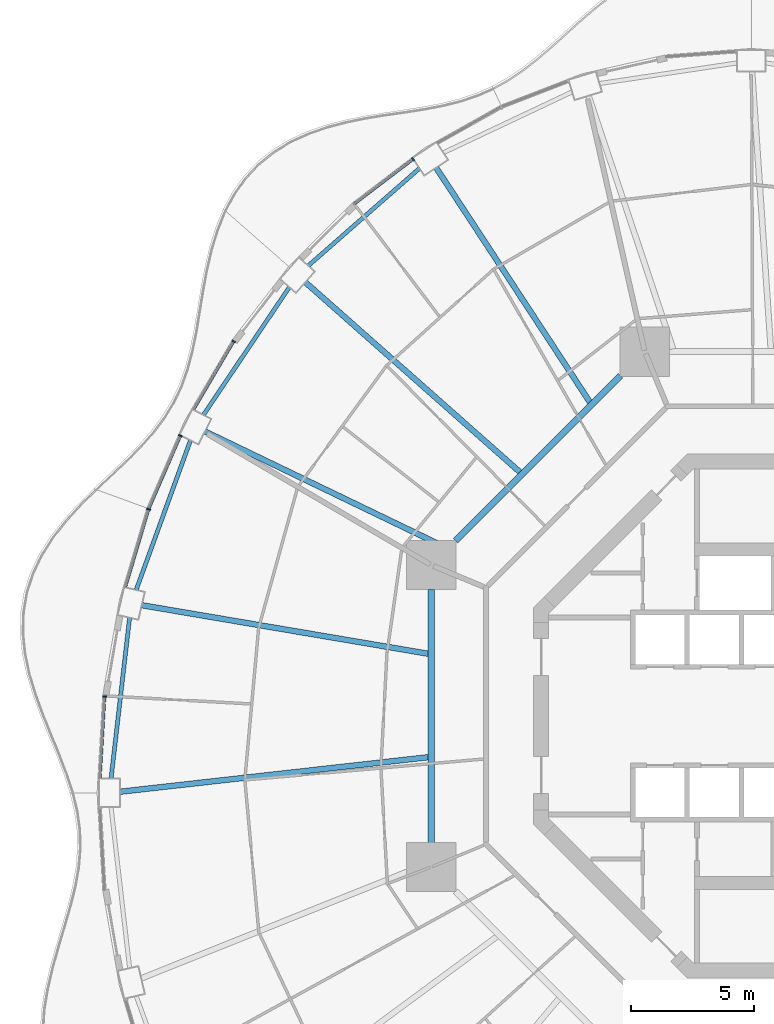
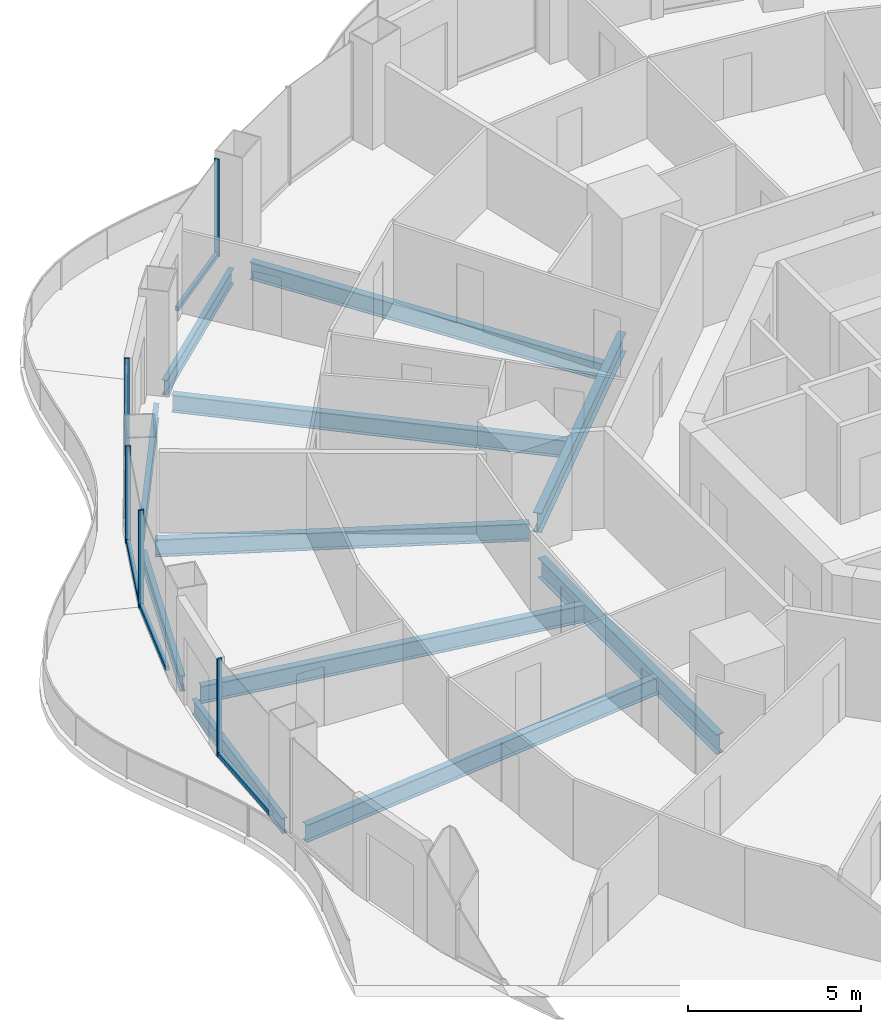
# One storey, part 7 of 21: 11 beams, 10 members, 5 elements without a shape of their own.
"""IFC4 building model written with IfcOpenShell, lengths in metres."""

from ifc_helpers import new_model, si_unit, direction, frame, origin, origin_2d, place, context, subcontext, project, spatial, rectangle, i_section, extrude, material, layer, layer_set, material_profile, profile_set, type_object, element, aggregate, save


model = new_model("IFC4")

# Units and contexts
model_context = context("Model", 3, precision=1e-05, world=origin(), true_north=direction((0.0, 1.0)))
body_context = subcontext(model_context, "Body", "Model", "MODEL_VIEW")
ifc_project = project(units=[si_unit("LENGTHUNIT", "METRE"), si_unit("AREAUNIT", "SQUARE_METRE"), si_unit("VOLUMEUNIT", "CUBIC_METRE"), si_unit("PLANEANGLEUNIT", "RADIAN"), si_unit("MASSUNIT", "GRAM", prefix="KILO")], contexts=[model_context])

# Site, building, storey
site_placement = place(None, origin())
site = spatial("IfcSite", under=ifc_project, at=site_placement, CompositionType="ELEMENT")
building_placement = place(site_placement, origin())
building = spatial("IfcBuilding", under=site, at=building_placement, Name="Nagisa Residences", CompositionType="ELEMENT")
storey_placement = place(building_placement, frame((0.0, 0.0, 134.39990234375)))
storey = spatial("IfcBuildingStorey", under=building, at=storey_placement, Name="L33", CompositionType="ELEMENT", Elevation=134.39990234375)

# Curtain wall, member
ifc_material_1 = material(Name="Concrete-coloured aluminium curtain wall system", Category="concrete")
ifc_layer = layer(ifc_material_1, 0.159912109375)
ifc_layer_set = layer_set([ifc_layer], Name="CW1 CURTAIN WALL")
curtain_wall_type = type_object("IfcCurtainWallType", Name="CW1 CURTAIN WALL", PredefinedType="NOTDEFINED", material=ifc_layer_set)
curtain_wall_1_placement = place(storey_placement, origin())
curtain_wall_1 = element("IfcCurtainWall", 1, at=curtain_wall_1_placement, inside=storey, type_object=curtain_wall_type, Name="cw:CW1:L33:16", PredefinedType="NOTDEFINED")
ifc_material_2 = material(Name="Concrete-coloured aluminium", Category="concrete")
ifc_material_profile_1 = material_profile(ifc_material_2, rectangle(XDim=0.159912109375, YDim=0.06005859375, at=origin_2d()), Name="CW1 MULLION 160x60")
ifc_profile_set_1 = profile_set([ifc_material_profile_1], Name="Concrete-coloured aluminium")
member_type_1 = type_object("IfcMemberType", Name="CW1 MULLION 160x60", PredefinedType="MULLION", material=ifc_profile_set_1)
member_1_placement = place(storey_placement, frame((-15.5205078125, 22.5869140625, 0.0), z_axis=(0.0, 0.0, 1.0), x_axis=(0.605255421737, -0.79603132756, 0.0)))
member_1 = element("IfcMember", 2, at=member_1_placement, type_object=member_type_1, Name="CW1 mullion", PredefinedType="MULLION", context=body_context, shape_type="SweptSolid", body=[
    extrude(rectangle(XDim=0.159912109375, YDim=0.06005859375, at=origin_2d()), origin(), (0.0, 0.0, 1.0), 3.440185546875),
])

curtain_wall_2_placement = place(storey_placement, origin())
curtain_wall_2 = element("IfcCurtainWall", 3, at=curtain_wall_2_placement, inside=storey, type_object=curtain_wall_type, Name="cw:CW1:L33:19", PredefinedType="NOTDEFINED")
member_2_placement = place(storey_placement, frame((-22.7978515625, 15.197509765625, 0.0), z_axis=(0.0, 0.0, 1.0), x_axis=(0.862328898214, -0.506348567002, 0.0)))
member_2 = element("IfcMember", 4, at=member_2_placement, type_object=member_type_1, Name="CW1 mullion", PredefinedType="MULLION", context=body_context, shape_type="SweptSolid", body=[
    extrude(rectangle(XDim=0.159912109375, YDim=0.06005859375, at=origin_2d()), origin(), (0.0, 0.0, 1.0), 3.440185546875),
])

curtain_wall_3_placement = place(storey_placement, origin())
curtain_wall_3 = element("IfcCurtainWall", 5, at=curtain_wall_3_placement, inside=storey, type_object=curtain_wall_type, Name="cw:CW1:L33:20", PredefinedType="NOTDEFINED")
member_3_placement = place(storey_placement, frame((-24.95703125, 11.369873046875, 0.0), z_axis=(0.0, 0.0, 1.0), x_axis=(0.917543276295, -0.397635934147, 0.0)))
member_3 = element("IfcMember", 6, at=member_3_placement, type_object=member_type_1, Name="CW1 mullion", PredefinedType="MULLION", context=body_context, shape_type="SweptSolid", body=[
    extrude(rectangle(XDim=0.159912109375, YDim=0.06005859375, at=origin_2d()), origin(), (0.0, 0.0, 1.0), 3.440185546875),
])

curtain_wall_4_placement = place(storey_placement, origin())
curtain_wall_4 = element("IfcCurtainWall", 7, at=curtain_wall_4_placement, inside=storey, type_object=curtain_wall_type, Name="cw:CW1:L33:21", PredefinedType="NOTDEFINED")
member_4_placement = place(storey_placement, frame((-26.2470703125, 8.3857421875, 0.0), z_axis=(0.0, 0.0, 1.0), x_axis=(0.958271310082, -0.285860274038, 0.0)))
member_4 = element("IfcMember", 8, at=member_4_placement, type_object=member_type_1, Name="CW1 mullion", PredefinedType="MULLION", context=body_context, shape_type="SweptSolid", body=[
    extrude(rectangle(XDim=0.159912109375, YDim=0.06005859375, at=origin_2d()), origin(), (0.0, 0.0, 1.0), 3.440185546875),
])

curtain_wall_5_placement = place(storey_placement, origin())
curtain_wall_5 = element("IfcCurtainWall", 9, at=curtain_wall_5_placement, inside=storey, type_object=curtain_wall_type, Name="cw:CW1:L33:23", PredefinedType="NOTDEFINED")
member_5_placement = place(storey_placement, frame((-28.02978515625, 0.7890625, 0.0), z_axis=(0.0, 0.0, 1.0), x_axis=(0.998345305184, -0.057503492216, 0.0)))
member_5 = element("IfcMember", 10, at=member_5_placement, type_object=member_type_1, Name="CW1 mullion", PredefinedType="MULLION", context=body_context, shape_type="SweptSolid", body=[
    extrude(rectangle(XDim=0.159912109375, YDim=0.06005859375, at=origin_2d()), origin(), (0.0, 0.0, 1.0), 3.440185546875),
])

# Member
ifc_material_3 = material(Name="Concrete-coloured aluminium", Category="concrete")
ifc_material_profile_2 = material_profile(ifc_material_3, rectangle(XDim=0.1201171875, YDim=0.14990234375, at=origin_2d()), Name="CW1 TRANSOM 120x150")
ifc_profile_set_2 = profile_set([ifc_material_profile_2], Name="Concrete-coloured aluminium")
member_type_2 = type_object("IfcMemberType", Name="CW1 TRANSOM 120x150", PredefinedType="USERDEFINED", material=ifc_profile_set_2)
member_6_placement = place(storey_placement, frame((-15.49658203125, 22.605224609375, 0.0751953125), z_axis=(-0.796022231079, -0.605267385233, 0.0), x_axis=(0.605267385233, -0.796022231079, 0.0)))
member_6 = element("IfcMember", 11, at=member_6_placement, type_object=member_type_2, Name="CW1 transom", ObjectType="TRANSOM", PredefinedType="USERDEFINED", context=body_context, shape_type="SweptSolid", body=[
    extrude(rectangle(XDim=0.1201171875, YDim=0.14990234375, at=origin_2d()), origin(), (0.0, 0.0, 1.0), 3.025634765625),
])

aggregate(curtain_wall_1, [member_1, member_6])

member_7_placement = place(storey_placement, frame((-22.78271484375, 15.223388671875, 0.0751953125), z_axis=(-0.506348207891, -0.86232910908, 0.0), x_axis=(0.86232910908, -0.506348207891, 0.0)))
member_7 = element("IfcMember", 12, at=member_7_placement, type_object=member_type_2, Name="CW1 transom", ObjectType="TRANSOM", PredefinedType="USERDEFINED", context=body_context, shape_type="SweptSolid", body=[
    extrude(rectangle(XDim=0.1201171875, YDim=0.14990234375, at=origin_2d()), origin(), (0.0, 0.0, 1.0), 3.208251953125),
])

aggregate(curtain_wall_2, [member_2, member_7])

member_8_placement = place(storey_placement, frame((-24.945068359375, 11.3974609375, 0.0751953125), z_axis=(-0.397638954585, -0.917541967321, 0.0), x_axis=(0.917541967321, -0.397638954585, 0.0)))
member_8 = element("IfcMember", 13, at=member_8_placement, type_object=member_type_2, Name="CW1 transom", ObjectType="TRANSOM", PredefinedType="USERDEFINED", context=body_context, shape_type="SweptSolid", body=[
    extrude(rectangle(XDim=0.1201171875, YDim=0.14990234375, at=origin_2d()), origin(), (0.0, 0.0, 1.0), 3.2607421875),
])

aggregate(curtain_wall_3, [member_3, member_8])

member_9_placement = place(storey_placement, frame((-26.238525390625, 8.41455078125, 0.0751953125), z_axis=(-0.285842038783, -0.958276749621, 0.0), x_axis=(0.958276749621, -0.285842038783, 0.0)))
member_9 = element("IfcMember", 14, at=member_9_placement, type_object=member_type_2, Name="CW1 transom", ObjectType="TRANSOM", PredefinedType="USERDEFINED", context=body_context, shape_type="SweptSolid", body=[
    extrude(rectangle(XDim=0.1201171875, YDim=0.14990234375, at=origin_2d()), origin(), (0.0, 0.0, 1.0), 3.302734375),
])

aggregate(curtain_wall_4, [member_4, member_9])

member_10_placement = place(storey_placement, frame((-28.028076171875, 0.81884765625, 0.0751953125), z_axis=(-0.057542018726, -0.998343085357, 0.0), x_axis=(0.998343085357, -0.057542018726, 0.0)))
member_10 = element("IfcMember", 15, at=member_10_placement, type_object=member_type_2, Name="CW1 transom", ObjectType="TRANSOM", PredefinedType="USERDEFINED", context=body_context, shape_type="SweptSolid", body=[
    extrude(rectangle(XDim=0.1201171875, YDim=0.14990234375, at=origin_2d()), origin(), (0.0, 0.0, 1.0), 3.34765625),
])

aggregate(curtain_wall_5, [member_5, member_10])

# Beams
ifc_material_4 = material(Name="Steel ASTM A572 Gr 50", Category="steel")
ifc_material_profile_3 = material_profile(ifc_material_4, i_section(OverallWidth=0.25390625, OverallDepth=0.68408203125, WebThickness=0.012451171875, FlangeThickness=0.018798828125, at=origin_2d()), Name="W690x140")
ifc_profile_set_3 = profile_set([ifc_material_profile_3], Name="Steel ASTM A572 Gr 50")
beam_type_1 = type_object("IfcBeamType", Name="Inner ring beam W690x140", PredefinedType="BEAM", material=ifc_profile_set_3)
beam_1_placement = place(storey_placement, frame((-7.10888671875, 13.796142578125, -0.601806640625), z_axis=(-0.707106781187, -0.707106781187, 0.0), x_axis=(0.707106781187, -0.707106781187, 0.0)))
element("IfcBeam", 16, at=beam_1_placement, inside=storey, type_object=beam_type_1, Name="beam:L33:ib3", PredefinedType="BEAM", context=body_context, shape_type="SweptSolid", body=[
    extrude(i_section(OverallWidth=0.25390625, OverallDepth=0.68408203125, WebThickness=0.012451171875, FlangeThickness=0.018798828125, at=origin_2d()), origin(), (0.0, 0.0, 1.0), 9.457275390625),
])
beam_2_placement = place(storey_placement, frame((-14.781982421875, 5.142822265625, -0.601806640625), z_axis=(0.0, -1.0, 0.0), x_axis=(1.0, 0.0, 0.0)))
element("IfcBeam", 17, at=beam_2_placement, inside=storey, type_object=beam_type_1, Name="beam:L33:ib4", PredefinedType="BEAM", context=body_context, shape_type="SweptSolid", body=[
    extrude(i_section(OverallWidth=0.25390625, OverallDepth=0.68408203125, WebThickness=0.012451171875, FlangeThickness=0.018798828125, at=origin_2d()), origin(), (0.0, 0.0, 1.0), 10.28564453125),
])
ifc_material_5 = material(Name="Steel ASTM A572 Gr 50", Category="steel")
ifc_material_profile_4 = material_profile(ifc_material_5, i_section(OverallWidth=0.166015625, OverallDepth=0.534912109375, WebThickness=0.01025390625, FlangeThickness=0.0166015625, at=origin_2d()), Name="W530x85")
ifc_profile_set_4 = profile_set([ifc_material_profile_4], Name="Steel ASTM A572 Gr 50")
beam_type_2 = type_object("IfcBeamType", Name="Perimeter ring beam W530x85", PredefinedType="BEAM", material=ifc_profile_set_4)
beam_3_placement = place(storey_placement, frame((-15.25830078125, 22.213134765625, -0.52734375), z_axis=(-0.752503526528, -0.658588219272, 0.0), x_axis=(0.658588219272, -0.752503526528, 0.0)))
element("IfcBeam", 18, at=beam_3_placement, inside=storey, type_object=beam_type_2, Name="beam:L33:pb09", PredefinedType="BEAM", context=body_context, shape_type="SweptSolid", body=[
    extrude(i_section(OverallWidth=0.166015625, OverallDepth=0.534912109375, WebThickness=0.01025390625, FlangeThickness=0.0166015625, at=origin_2d()), origin(), (0.0, 0.0, 1.0), 5.99462890625),
])
beam_4_placement = place(storey_placement, frame((-20.5361328125, 17.39453125, -0.52734375), z_axis=(-0.558187951157, -0.82971453596, 0.0), x_axis=(0.82971453596, -0.558187951157, 0.0)))
element("IfcBeam", 19, at=beam_4_placement, inside=storey, type_object=beam_type_2, Name="beam:L33:pb10", PredefinedType="BEAM", context=body_context, shape_type="SweptSolid", body=[
    extrude(i_section(OverallWidth=0.166015625, OverallDepth=0.534912109375, WebThickness=0.01025390625, FlangeThickness=0.0166015625, at=origin_2d()), origin(), (0.0, 0.0, 1.0), 6.24267578125),
])
beam_5_placement = place(storey_placement, frame((-24.54638671875, 11.180419921875, -0.52734375), z_axis=(-0.341366238276, -0.939930365168, 0.0), x_axis=(0.939930365168, -0.341366238276, 0.0)))
element("IfcBeam", 20, at=beam_5_placement, inside=storey, type_object=beam_type_2, Name="beam:L33:pb11", PredefinedType="BEAM", context=body_context, shape_type="SweptSolid", body=[
    extrude(i_section(OverallWidth=0.166015625, OverallDepth=0.534912109375, WebThickness=0.01025390625, FlangeThickness=0.0166015625, at=origin_2d()), origin(), (0.0, 0.0, 1.0), 6.450927734375),
])
beam_6_placement = place(storey_placement, frame((-27.014892578125, 3.98779296875, -0.52734375), z_axis=(-0.114660786771, -0.993404703017, 0.0), x_axis=(0.993404703017, -0.114660786771, 0.0)))
element("IfcBeam", 21, at=beam_6_placement, inside=storey, type_object=beam_type_2, Name="beam:L33:pb12", PredefinedType="BEAM", context=body_context, shape_type="SweptSolid", body=[
    extrude(i_section(OverallWidth=0.166015625, OverallDepth=0.534912109375, WebThickness=0.01025390625, FlangeThickness=0.0166015625, at=origin_2d()), origin(), (0.0, 0.0, 1.0), 6.568603515625),
])
ifc_material_6 = material(Name="Steel ASTM A572 Gr 50", Category="steel")
ifc_material_profile_5 = material_profile(ifc_material_6, i_section(OverallWidth=0.22900390625, OverallDepth=0.612060546875, WebThickness=0.011962890625, FlangeThickness=0.01953125, at=origin_2d()), Name="W610x125")
ifc_profile_set_5 = profile_set([ifc_material_profile_5], Name="Steel ASTM A572 Gr 50")
beam_type_3 = type_object("IfcBeamType", Name="Radial beam W610x125", PredefinedType="BEAM", material=ifc_profile_set_5)
beam_7_placement = place(storey_placement, frame((-14.581787109375, 22.2392578125, -0.56591796875), z_axis=(0.548325250323, -0.836265161212, 0.0), x_axis=(0.836265161212, 0.548325250323, 0.0)))
element("IfcBeam", 22, at=beam_7_placement, inside=storey, type_object=beam_type_3, Name="beam:L33:rb09", PredefinedType="BEAM", context=body_context, shape_type="SweptSolid", body=[
    extrude(i_section(OverallWidth=0.22900390625, OverallDepth=0.612060546875, WebThickness=0.011962890625, FlangeThickness=0.01953125, at=origin_2d()), origin(), (0.0, 0.0, 1.0), 11.385498046875),
])
beam_8_placement = place(storey_placement, frame((-19.887451171875, 17.594970703125, -0.56591796875), z_axis=(0.7489549138, -0.662620960349, 0.0), x_axis=(0.662620960349, 0.7489549138, 0.0)))
element("IfcBeam", 23, at=beam_8_placement, inside=storey, type_object=beam_type_3, Name="beam:L33:rb10", PredefinedType="BEAM", context=body_context, shape_type="SweptSolid", body=[
    extrude(i_section(OverallWidth=0.22900390625, OverallDepth=0.612060546875, WebThickness=0.011962890625, FlangeThickness=0.01953125, at=origin_2d()), origin(), (0.0, 0.0, 1.0), 11.63671875),
])
beam_9_placement = place(storey_placement, frame((-23.95947265625, 11.543212890625, -0.56591796875), z_axis=(0.900896469051, -0.434034044808, 0.0), x_axis=(0.434034044808, 0.900896469051, 0.0)))
element("IfcBeam", 24, at=beam_9_placement, inside=storey, type_object=beam_type_3, Name="beam:L33:rb11", PredefinedType="BEAM", context=body_context, shape_type="SweptSolid", body=[
    extrude(i_section(OverallWidth=0.22900390625, OverallDepth=0.612060546875, WebThickness=0.011962890625, FlangeThickness=0.01953125, at=origin_2d()), origin(), (0.0, 0.0, 1.0), 10.820556640625),
])
beam_10_placement = place(storey_placement, frame((-26.52294921875, 4.495849609375, -0.56591796875), z_axis=(0.985936650852, -0.167119479737, 0.0), x_axis=(0.167119479737, 0.985936650852, 0.0)))
element("IfcBeam", 25, at=beam_10_placement, inside=storey, type_object=beam_type_3, Name="beam:L33:rb12", PredefinedType="BEAM", context=body_context, shape_type="SweptSolid", body=[
    extrude(i_section(OverallWidth=0.22900390625, OverallDepth=0.612060546875, WebThickness=0.011962890625, FlangeThickness=0.01953125, at=origin_2d()), origin(), (0.0, 0.0, 1.0), 11.799560546875),
])
beam_11_placement = place(storey_placement, frame((-27.40478515625, -3.069580078125, -0.56591796875), z_axis=(0.993785470482, 0.111312347291, 0.0), x_axis=(-0.111312347291, 0.993785470482, 0.0)))
element("IfcBeam", 26, at=beam_11_placement, inside=storey, type_object=beam_type_3, Name="beam:L33:rb13", PredefinedType="BEAM", context=body_context, shape_type="SweptSolid", body=[
    extrude(i_section(OverallWidth=0.22900390625, OverallDepth=0.612060546875, WebThickness=0.011962890625, FlangeThickness=0.01953125, at=origin_2d()), origin(), (0.0, 0.0, 1.0), 12.593994140625),
])

save(model, "model.ifc")
